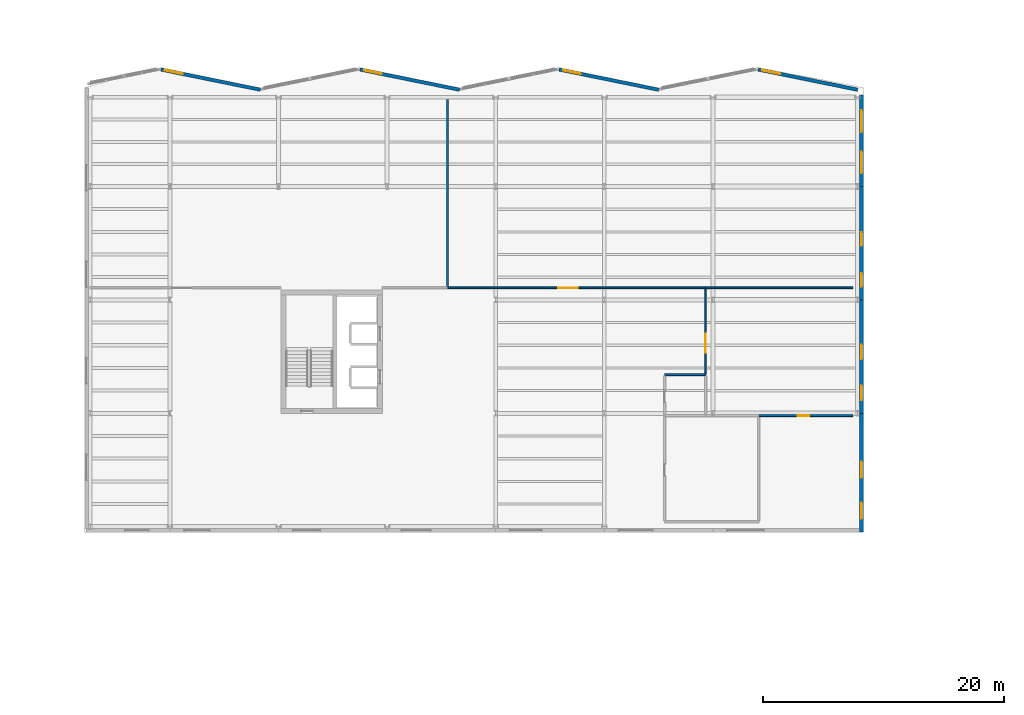
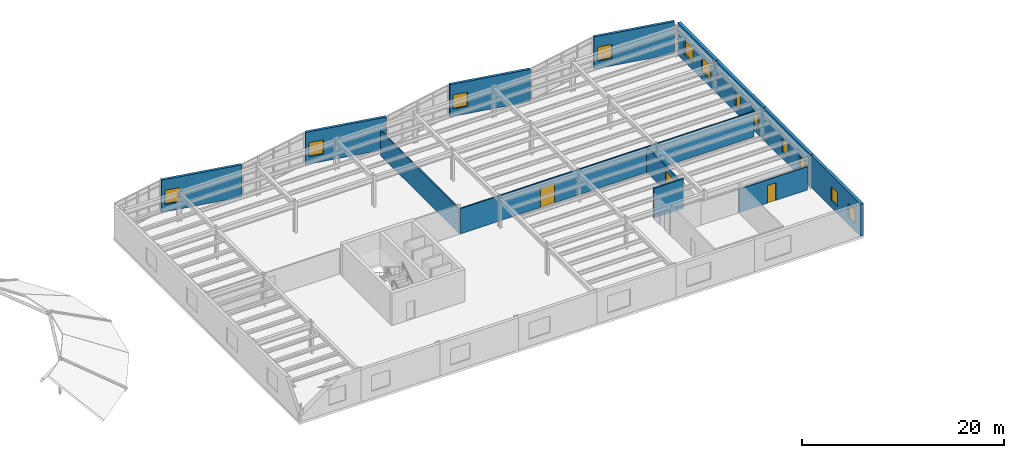
# One storey, part 34 of 46: 14 walls, 12 windows, 3 doors, 15 openings.
"""IFC4 building model written with IfcOpenShell, lengths in metres."""

from ifc_helpers import new_model, si_unit, direction, frame, frame_2d, origin, place, context, subcontext, project, spatial, rectangle, extrude, material, layer, layer_set, type_object, element, fill, save


model = new_model("IFC4")

# Units and contexts
model_context = context("Model", 3, precision=1e-05, world=origin(), true_north=direction((0.0, 1.0)))
body_context = subcontext(model_context, "Body", "Model", "MODEL_VIEW")
ifc_project = project(units=[si_unit("LENGTHUNIT", "METRE"), si_unit("AREAUNIT", "SQUARE_METRE"), si_unit("VOLUMEUNIT", "CUBIC_METRE"), si_unit("PLANEANGLEUNIT", "RADIAN"), si_unit("MASSUNIT", "GRAM", prefix="KILO")], contexts=[model_context])

# Site, building, storey
site_placement = place(None, origin())
site = spatial("IfcSite", under=ifc_project, at=site_placement, CompositionType="ELEMENT")
building_placement = place(site_placement, origin())
building = spatial("IfcBuilding", under=site, at=building_placement, Name="Sollismere Congress Hotel", CompositionType="ELEMENT")
storey_placement = place(building_placement, frame((0.0, 0.0, 19.5)))
storey = spatial("IfcBuildingStorey", under=building, at=storey_placement, Name="L04", CompositionType="ELEMENT", Elevation=19.5)

# Wall, opening, window
ifc_material_1 = material(Name="Colorado Buff Sandstone Rainscreen on Insulated Backup", Category="masonry")
ifc_layer_1 = layer(ifc_material_1, 0.284912109375, Name="Colorado Buff Sandstone Rainscreen on Insulated Backup")
ifc_layer_set_1 = layer_set([ifc_layer_1], Name="Colorado Buff Sandstone Rainscreen on Insulated Backup")
wall_type_1 = type_object("IfcWallType", Name="WL-EXT285", PredefinedType="STANDARD", material=ifc_layer_set_1)
wall_1_placement = place(storey_placement, frame((66.25, 104.698486328125, 0.0), z_axis=(0.0, 0.0, 1.0), x_axis=(0.979925045119, -0.199366260807, 0.0)))
wall_1 = element("IfcWall", 1, at=wall_1_placement, inside=storey, type_object=wall_type_1, Name="Exterior wall EW-L04-072", PredefinedType="STANDARD", context=body_context, shape_type="SweptSolid", body=[
    extrude(rectangle(XDim=8.4189453125, YDim=0.284912109375, at=frame_2d((4.20947265625, 0.0))), origin(), (0.0, 0.0, 1.0), 3.89990234375),
])
opening_1_placement = place(wall_1_placement, frame((0.35009765625, 0.0, 0.89990234375)))
opening_1 = element("IfcOpeningElement", 2, at=opening_1_placement, cuts=wall_1, Name="Opening W-L04-072", PredefinedType="OPENING", context=body_context, shape_type="SweptSolid", body=[
    extrude(rectangle(XDim=1.5, YDim=1.699951171875, at=frame_2d((0.75, 0.85009765625))), frame((0.0, 0.15234375, 0.0), z_axis=(0.0, -1.0, 0.0), x_axis=(1.0, 0.0, 0.0)), (0.0, 0.0, 1.0), 0.304931640625),
])
ifc_material_2 = material(Name="Thermally Broken Bronze Aluminum & Low-E Glass", Category="aluminium")
window_type_1 = type_object("IfcWindowType", Name="WN-P150x170", PartitioningType="SINGLE_PANEL", PredefinedType="WINDOW", material=ifc_material_2)
window_1_placement = place(opening_1_placement, origin())
window_1 = element("IfcWindow", 3, at=window_1_placement, inside=storey, type_object=window_type_1, Name="WIN-W-L04-072", OverallHeight=1.699951171875, OverallWidth=1.5, PartitioningType="SINGLE_PANEL", PredefinedType="WINDOW", context=body_context, shape_type="SweptSolid", body=[
    extrude(rectangle(XDim=1.5, YDim=1.699951171875, at=frame_2d((0.75, 0.85009765625))), frame((0.0, 0.030029296875, 0.0), z_axis=(0.0, -1.0, 0.0), x_axis=(1.0, 0.0, 0.0)), (0.0, 0.0, 1.0), 0.06005859375),
])
fill(opening_1, window_1)

wall_2_placement = place(storey_placement, frame((82.75, 104.698486328125, 0.0), z_axis=(0.0, 0.0, 1.0), x_axis=(0.979925045119, -0.199366260807, 0.0)))
wall_2 = element("IfcWall", 4, at=wall_2_placement, inside=storey, type_object=wall_type_1, Name="Exterior wall EW-L04-073", PredefinedType="STANDARD", context=body_context, shape_type="SweptSolid", body=[
    extrude(rectangle(XDim=8.4189453125, YDim=0.284912109375, at=frame_2d((4.20947265625, 0.0))), origin(), (0.0, 0.0, 1.0), 3.89990234375),
])
opening_2_placement = place(wall_2_placement, frame((0.35009765625, 0.0, 0.89990234375)))
opening_2 = element("IfcOpeningElement", 5, at=opening_2_placement, cuts=wall_2, Name="Opening W-L04-073", PredefinedType="OPENING", context=body_context, shape_type="SweptSolid", body=[
    extrude(rectangle(XDim=1.5, YDim=1.699951171875, at=frame_2d((0.75, 0.85009765625))), frame((0.0, 0.15234375, 0.0), z_axis=(0.0, -1.0, 0.0), x_axis=(1.0, 0.0, 0.0)), (0.0, 0.0, 1.0), 0.304931640625),
])
window_2_placement = place(opening_2_placement, origin())
window_2 = element("IfcWindow", 6, at=window_2_placement, inside=storey, type_object=window_type_1, Name="WIN-W-L04-073", OverallHeight=1.699951171875, OverallWidth=1.5, PartitioningType="SINGLE_PANEL", PredefinedType="WINDOW", context=body_context, shape_type="SweptSolid", body=[
    extrude(rectangle(XDim=1.5, YDim=1.699951171875, at=frame_2d((0.75, 0.85009765625))), frame((0.0, 0.030029296875, 0.0), z_axis=(0.0, -1.0, 0.0), x_axis=(1.0, 0.0, 0.0)), (0.0, 0.0, 1.0), 0.06005859375),
])
fill(opening_2, window_2)

wall_3_placement = place(storey_placement, frame((99.25, 104.698486328125, 0.0), z_axis=(0.0, 0.0, 1.0), x_axis=(0.979925045119, -0.199366260807, 0.0)))
wall_3 = element("IfcWall", 7, at=wall_3_placement, inside=storey, type_object=wall_type_1, Name="Exterior wall EW-L04-074", PredefinedType="STANDARD", context=body_context, shape_type="SweptSolid", body=[
    extrude(rectangle(XDim=8.4189453125, YDim=0.284912109375, at=frame_2d((4.20947265625, 0.0))), origin(), (0.0, 0.0, 1.0), 3.89990234375),
])
opening_3_placement = place(wall_3_placement, frame((0.35009765625, 0.0, 0.89990234375)))
opening_3 = element("IfcOpeningElement", 8, at=opening_3_placement, cuts=wall_3, Name="Opening W-L04-074", PredefinedType="OPENING", context=body_context, shape_type="SweptSolid", body=[
    extrude(rectangle(XDim=1.5, YDim=1.699951171875, at=frame_2d((0.75, 0.85009765625))), frame((0.0, 0.15234375, 0.0), z_axis=(0.0, -1.0, 0.0), x_axis=(1.0, 0.0, 0.0)), (0.0, 0.0, 1.0), 0.304931640625),
])
window_3_placement = place(opening_3_placement, origin())
window_3 = element("IfcWindow", 9, at=window_3_placement, inside=storey, type_object=window_type_1, Name="WIN-W-L04-074", OverallHeight=1.699951171875, OverallWidth=1.5, PartitioningType="SINGLE_PANEL", PredefinedType="WINDOW", context=body_context, shape_type="SweptSolid", body=[
    extrude(rectangle(XDim=1.5, YDim=1.699951171875, at=frame_2d((0.75, 0.85009765625))), frame((0.0, 0.030029296875, 0.0), z_axis=(0.0, -1.0, 0.0), x_axis=(1.0, 0.0, 0.0)), (0.0, 0.0, 1.0), 0.06005859375),
])
fill(opening_3, window_3)

wall_4_placement = place(storey_placement, frame((115.75, 104.698486328125, 0.0), z_axis=(0.0, 0.0, 1.0), x_axis=(0.979925045119, -0.199366260807, 0.0)))
wall_4 = element("IfcWall", 10, at=wall_4_placement, inside=storey, type_object=wall_type_1, Name="Exterior wall EW-L04-075", PredefinedType="STANDARD", context=body_context, shape_type="SweptSolid", body=[
    extrude(rectangle(XDim=8.4189453125, YDim=0.284912109375, at=frame_2d((4.20947265625, 0.0))), origin(), (0.0, 0.0, 1.0), 3.89990234375),
])
opening_4_placement = place(wall_4_placement, frame((0.35009765625, 0.0, 0.89990234375)))
opening_4 = element("IfcOpeningElement", 11, at=opening_4_placement, cuts=wall_4, Name="Opening W-L04-075", PredefinedType="OPENING", context=body_context, shape_type="SweptSolid", body=[
    extrude(rectangle(XDim=1.5, YDim=1.699951171875, at=frame_2d((0.75, 0.85009765625))), frame((0.0, 0.15234375, 0.0), z_axis=(0.0, -1.0, 0.0), x_axis=(1.0, 0.0, 0.0)), (0.0, 0.0, 1.0), 0.304931640625),
])
window_4_placement = place(opening_4_placement, origin())
window_4 = element("IfcWindow", 12, at=window_4_placement, inside=storey, type_object=window_type_1, Name="WIN-W-L04-075", OverallHeight=1.699951171875, OverallWidth=1.5, PartitioningType="SINGLE_PANEL", PredefinedType="WINDOW", context=body_context, shape_type="SweptSolid", body=[
    extrude(rectangle(XDim=1.5, YDim=1.699951171875, at=frame_2d((0.75, 0.85009765625))), frame((0.0, 0.030029296875, 0.0), z_axis=(0.0, -1.0, 0.0), x_axis=(1.0, 0.0, 0.0)), (0.0, 0.0, 1.0), 0.06005859375),
])
fill(opening_4, window_4)

# Wall, openings, windows
ifc_material_3 = material(Name="Colorado Buff Sandstone and Limestone Backup C40/50", Category="masonry")
ifc_layer_2 = layer(ifc_material_3, 0.340087890625, Name="Colorado Buff Sandstone and Limestone Backup C40/50")
ifc_layer_set_2 = layer_set([ifc_layer_2], Name="Colorado Buff Sandstone and Limestone Backup C40/50")
wall_type_2 = type_object("IfcWallType", Name="WL-EXT340", PredefinedType="STANDARD", material=ifc_layer_set_2)
wall_5_placement = place(storey_placement, frame((124.31005859375, 66.35009765625, 0.0), z_axis=(0.0, 0.0, 1.0), x_axis=(0.0, 1.0, 0.0)))
wall_5 = element("IfcWall", 13, at=wall_5_placement, inside=storey, type_object=wall_type_2, Name="Exterior wall EW-L04-076", PredefinedType="STANDARD", context=body_context, shape_type="SweptSolid", body=[
    extrude(rectangle(XDim=9.849853515625, YDim=0.340087890625, at=frame_2d((4.9248046875, 0.0))), origin(), (0.0, 0.0, 1.0), 3.89990234375),
])
opening_5_placement = place(wall_5_placement, frame((1.10009765625, 0.0, 0.85009765625)))
opening_5 = element("IfcOpeningElement", 14, at=opening_5_placement, cuts=wall_5, Name="Opening W-L04-076", PredefinedType="OPENING", context=body_context, shape_type="SweptSolid", body=[
    extrude(rectangle(XDim=1.35009765625, YDim=1.64990234375, at=frame_2d((0.675048828125, 0.824951171875))), frame((0.0, 0.179931640625, 0.0), z_axis=(0.0, -1.0, 0.0), x_axis=(1.0, 0.0, 0.0)), (0.0, 0.0, 1.0), 0.360107421875),
])
opening_6_placement = place(wall_5_placement, frame((4.5, 0.0, 0.85009765625)))
opening_6 = element("IfcOpeningElement", 15, at=opening_6_placement, cuts=wall_5, Name="Opening W-L04-077", PredefinedType="OPENING", context=body_context, shape_type="SweptSolid", body=[
    extrude(rectangle(XDim=1.35009765625, YDim=1.64990234375, at=frame_2d((0.675048828125, 0.824951171875))), frame((0.0, 0.179931640625, 0.0), z_axis=(0.0, -1.0, 0.0), x_axis=(1.0, 0.0, 0.0)), (0.0, 0.0, 1.0), 0.360107421875),
])
window_type_2 = type_object("IfcWindowType", Name="WN-P135x165", PartitioningType="SINGLE_PANEL", PredefinedType="WINDOW", material=ifc_material_2)
window_5_placement = place(opening_5_placement, origin())
window_5 = element("IfcWindow", 16, at=window_5_placement, inside=storey, type_object=window_type_2, Name="WIN-W-L04-076", OverallHeight=1.64990234375, OverallWidth=1.35009765625, PartitioningType="SINGLE_PANEL", PredefinedType="WINDOW", context=body_context, shape_type="SweptSolid", body=[
    extrude(rectangle(XDim=1.35009765625, YDim=1.64990234375, at=frame_2d((0.675048828125, 0.824951171875))), frame((0.0, 0.030029296875, 0.0), z_axis=(0.0, -1.0, 0.0), x_axis=(1.0, 0.0, 0.0)), (0.0, 0.0, 1.0), 0.06005859375),
])
fill(opening_5, window_5)
window_6_placement = place(opening_6_placement, origin())
window_6 = element("IfcWindow", 17, at=window_6_placement, inside=storey, type_object=window_type_2, Name="WIN-W-L04-077", OverallHeight=1.64990234375, OverallWidth=1.35009765625, PartitioningType="SINGLE_PANEL", PredefinedType="WINDOW", context=body_context, shape_type="SweptSolid", body=[
    extrude(rectangle(XDim=1.35009765625, YDim=1.64990234375, at=frame_2d((0.675048828125, 0.824951171875))), frame((0.0, 0.030029296875, 0.0), z_axis=(0.0, -1.0, 0.0), x_axis=(1.0, 0.0, 0.0)), (0.0, 0.0, 1.0), 0.06005859375),
])
fill(opening_6, window_6)

wall_6_placement = place(storey_placement, frame((124.31005859375, 76.199951171875, 0.0), z_axis=(0.0, 0.0, 1.0), x_axis=(0.0, 1.0, 0.0)))
wall_6 = element("IfcWall", 18, at=wall_6_placement, inside=storey, type_object=wall_type_2, Name="Exterior wall EW-L04-077", PredefinedType="STANDARD", context=body_context, shape_type="SweptSolid", body=[
    extrude(rectangle(XDim=9.400146484375, YDim=0.340087890625, at=frame_2d((4.7001953125, 0.0))), origin(), (0.0, 0.0, 1.0), 3.89990234375),
])
opening_7_placement = place(wall_6_placement, frame((1.10009765625, 0.0, 0.85009765625)))
opening_7 = element("IfcOpeningElement", 19, at=opening_7_placement, cuts=wall_6, Name="Opening W-L04-078", PredefinedType="OPENING", context=body_context, shape_type="SweptSolid", body=[
    extrude(rectangle(XDim=1.199951171875, YDim=1.60009765625, at=frame_2d((0.60009765625, 0.800048828125))), frame((0.0, 0.179931640625, 0.0), z_axis=(0.0, -1.0, 0.0), x_axis=(1.0, 0.0, 0.0)), (0.0, 0.0, 1.0), 0.360107421875),
])
opening_8_placement = place(wall_6_placement, frame((4.5, 0.0, 0.85009765625)))
opening_8 = element("IfcOpeningElement", 20, at=opening_8_placement, cuts=wall_6, Name="Opening W-L04-079", PredefinedType="OPENING", context=body_context, shape_type="SweptSolid", body=[
    extrude(rectangle(XDim=1.199951171875, YDim=1.60009765625, at=frame_2d((0.60009765625, 0.800048828125))), frame((0.0, 0.179931640625, 0.0), z_axis=(0.0, -1.0, 0.0), x_axis=(1.0, 0.0, 0.0)), (0.0, 0.0, 1.0), 0.360107421875),
])
window_type_3 = type_object("IfcWindowType", Name="WN-P120x160", PartitioningType="SINGLE_PANEL", PredefinedType="WINDOW", material=ifc_material_2)
window_7_placement = place(opening_7_placement, origin())
window_7 = element("IfcWindow", 21, at=window_7_placement, inside=storey, type_object=window_type_3, Name="WIN-W-L04-078", OverallHeight=1.60009765625, OverallWidth=1.199951171875, PartitioningType="SINGLE_PANEL", PredefinedType="WINDOW", context=body_context, shape_type="SweptSolid", body=[
    extrude(rectangle(XDim=1.199951171875, YDim=1.60009765625, at=frame_2d((0.60009765625, 0.800048828125))), frame((0.0, 0.030029296875, 0.0), z_axis=(0.0, -1.0, 0.0), x_axis=(1.0, 0.0, 0.0)), (0.0, 0.0, 1.0), 0.06005859375),
])
fill(opening_7, window_7)
window_8_placement = place(opening_8_placement, origin())
window_8 = element("IfcWindow", 22, at=window_8_placement, inside=storey, type_object=window_type_3, Name="WIN-W-L04-079", OverallHeight=1.60009765625, OverallWidth=1.199951171875, PartitioningType="SINGLE_PANEL", PredefinedType="WINDOW", context=body_context, shape_type="SweptSolid", body=[
    extrude(rectangle(XDim=1.199951171875, YDim=1.60009765625, at=frame_2d((0.60009765625, 0.800048828125))), frame((0.0, 0.030029296875, 0.0), z_axis=(0.0, -1.0, 0.0), x_axis=(1.0, 0.0, 0.0)), (0.0, 0.0, 1.0), 0.06005859375),
])
fill(opening_8, window_8)

wall_7_placement = place(storey_placement, frame((124.31005859375, 85.60009765625, 0.0), z_axis=(0.0, 0.0, 1.0), x_axis=(0.0, 1.0, 0.0)))
wall_7 = element("IfcWall", 23, at=wall_7_placement, inside=storey, type_object=wall_type_2, Name="Exterior wall EW-L04-078", PredefinedType="STANDARD", context=body_context, shape_type="SweptSolid", body=[
    extrude(rectangle(XDim=9.39990234375, YDim=0.340087890625, at=frame_2d((4.699951171875, 0.0))), origin(), (0.0, 0.0, 1.0), 3.89990234375),
])
opening_9_placement = place(wall_7_placement, frame((1.10009765625, 0.0, 0.85009765625)))
opening_9 = element("IfcOpeningElement", 24, at=opening_9_placement, cuts=wall_7, Name="Opening W-L04-080", PredefinedType="OPENING", context=body_context, shape_type="SweptSolid", body=[
    extrude(rectangle(XDim=1.10009765625, YDim=1.5, at=frame_2d((0.550048828125, 0.75))), frame((0.0, 0.179931640625, 0.0), z_axis=(0.0, -1.0, 0.0), x_axis=(1.0, 0.0, 0.0)), (0.0, 0.0, 1.0), 0.360107421875),
])
opening_10_placement = place(wall_7_placement, frame((4.5, 0.0, 0.85009765625)))
opening_10 = element("IfcOpeningElement", 25, at=opening_10_placement, cuts=wall_7, Name="Opening W-L04-081", PredefinedType="OPENING", context=body_context, shape_type="SweptSolid", body=[
    extrude(rectangle(XDim=1.10009765625, YDim=1.5, at=frame_2d((0.550048828125, 0.75))), frame((0.0, 0.179931640625, 0.0), z_axis=(0.0, -1.0, 0.0), x_axis=(1.0, 0.0, 0.0)), (0.0, 0.0, 1.0), 0.360107421875),
])
window_type_4 = type_object("IfcWindowType", Name="WN-P110x150", PartitioningType="SINGLE_PANEL", PredefinedType="WINDOW", material=ifc_material_2)
window_9_placement = place(opening_9_placement, origin())
window_9 = element("IfcWindow", 26, at=window_9_placement, inside=storey, type_object=window_type_4, Name="WIN-W-L04-080", OverallHeight=1.5, OverallWidth=1.10009765625, PartitioningType="SINGLE_PANEL", PredefinedType="WINDOW", context=body_context, shape_type="SweptSolid", body=[
    extrude(rectangle(XDim=1.10009765625, YDim=1.5, at=frame_2d((0.550048828125, 0.75))), frame((0.0, 0.030029296875, 0.0), z_axis=(0.0, -1.0, 0.0), x_axis=(1.0, 0.0, 0.0)), (0.0, 0.0, 1.0), 0.06005859375),
])
fill(opening_9, window_9)
window_10_placement = place(opening_10_placement, origin())
window_10 = element("IfcWindow", 27, at=window_10_placement, inside=storey, type_object=window_type_4, Name="WIN-W-L04-081", OverallHeight=1.5, OverallWidth=1.10009765625, PartitioningType="SINGLE_PANEL", PredefinedType="WINDOW", context=body_context, shape_type="SweptSolid", body=[
    extrude(rectangle(XDim=1.10009765625, YDim=1.5, at=frame_2d((0.550048828125, 0.75))), frame((0.0, 0.030029296875, 0.0), z_axis=(0.0, -1.0, 0.0), x_axis=(1.0, 0.0, 0.0)), (0.0, 0.0, 1.0), 0.06005859375),
])
fill(opening_10, window_10)

wall_8_placement = place(storey_placement, frame((124.31005859375, 95.0, 0.0), z_axis=(0.0, 0.0, 1.0), x_axis=(0.0, 1.0, 0.0)))
wall_8 = element("IfcWall", 28, at=wall_8_placement, inside=storey, type_object=wall_type_2, Name="Exterior wall EW-L04-079", PredefinedType="STANDARD", context=body_context, shape_type="SweptSolid", body=[
    extrude(rectangle(XDim=7.60009765625, YDim=0.340087890625, at=frame_2d((3.800048828125, 0.0))), origin(), (0.0, 0.0, 1.0), 3.89990234375),
])
opening_11_placement = place(wall_8_placement, frame((1.10009765625, 0.0, 0.85009765625)))
opening_11 = element("IfcOpeningElement", 29, at=opening_11_placement, cuts=wall_8, Name="Opening W-L04-082", PredefinedType="OPENING", context=body_context, shape_type="SweptSolid", body=[
    extrude(rectangle(XDim=1.800048828125, YDim=1.800048828125, at=frame_2d((0.89990234375, 0.89990234375))), frame((0.0, 0.179931640625, 0.0), z_axis=(0.0, -1.0, 0.0), x_axis=(1.0, 0.0, 0.0)), (0.0, 0.0, 1.0), 0.360107421875),
])
opening_12_placement = place(wall_8_placement, frame((4.5, 0.0, 0.85009765625)))
opening_12 = element("IfcOpeningElement", 30, at=opening_12_placement, cuts=wall_8, Name="Opening W-L04-083", PredefinedType="OPENING", context=body_context, shape_type="SweptSolid", body=[
    extrude(rectangle(XDim=1.800048828125, YDim=1.800048828125, at=frame_2d((0.89990234375, 0.89990234375))), frame((0.0, 0.179931640625, 0.0), z_axis=(0.0, -1.0, 0.0), x_axis=(1.0, 0.0, 0.0)), (0.0, 0.0, 1.0), 0.360107421875),
])
window_type_5 = type_object("IfcWindowType", Name="WN-P180x180", PartitioningType="SINGLE_PANEL", PredefinedType="WINDOW", material=ifc_material_2)
window_11_placement = place(opening_11_placement, origin())
window_11 = element("IfcWindow", 31, at=window_11_placement, inside=storey, type_object=window_type_5, Name="WIN-W-L04-082", OverallHeight=1.800048828125, OverallWidth=1.800048828125, PartitioningType="SINGLE_PANEL", PredefinedType="WINDOW", context=body_context, shape_type="SweptSolid", body=[
    extrude(rectangle(XDim=1.800048828125, YDim=1.800048828125, at=frame_2d((0.89990234375, 0.89990234375))), frame((0.0, 0.030029296875, 0.0), z_axis=(0.0, -1.0, 0.0), x_axis=(1.0, 0.0, 0.0)), (0.0, 0.0, 1.0), 0.06005859375),
])
fill(opening_11, window_11)
window_12_placement = place(opening_12_placement, origin())
window_12 = element("IfcWindow", 32, at=window_12_placement, inside=storey, type_object=window_type_5, Name="WIN-W-L04-083", OverallHeight=1.800048828125, OverallWidth=1.800048828125, PartitioningType="SINGLE_PANEL", PredefinedType="WINDOW", context=body_context, shape_type="SweptSolid", body=[
    extrude(rectangle(XDim=1.800048828125, YDim=1.800048828125, at=frame_2d((0.89990234375, 0.89990234375))), frame((0.0, 0.030029296875, 0.0), z_axis=(0.0, -1.0, 0.0), x_axis=(1.0, 0.0, 0.0)), (0.0, 0.0, 1.0), 0.06005859375),
])
fill(opening_12, window_12)

# Wall, opening, door
ifc_material_4 = material(Name="Fire-Rated Gypsum Partition")
ifc_layer_3 = layer(ifc_material_4, 0.139892578125, Name="Fire-Rated Gypsum Partition")
ifc_layer_set_3 = layer_set([ifc_layer_3], Name="Fire-Rated Gypsum Partition")
wall_type_3 = type_object("IfcWallType", Name="WL-PRT140R", PredefinedType="PARTITIONING", material=ifc_layer_set_3)
wall_9_placement = place(storey_placement, frame((90.0, 86.60009765625, 0.0), z_axis=(0.0, 0.0, 1.0), x_axis=(1.0, 0.0, 0.0)))
wall_9 = element("IfcWall", 33, at=wall_9_placement, inside=storey, type_object=wall_type_3, Name="Interior wall IW-L04-0962", PredefinedType="PARTITIONING", context=body_context, shape_type="SweptSolid", body=[
    extrude(rectangle(XDim=21.39990234375, YDim=0.139892578125, at=frame_2d((10.699951171875, 0.0))), origin(), (0.0, 0.0, 1.0), 3.05908203125),
])
opening_13_placement = place(wall_9_placement, frame((9.199951171875, 0.0, 0.0)))
opening_13 = element("IfcOpeningElement", 34, at=opening_13_placement, cuts=wall_9, Name="Opening D-L04-0339", PredefinedType="OPENING", context=body_context, shape_type="SweptSolid", body=[
    extrude(rectangle(XDim=1.60009765625, YDim=2.39990234375, at=frame_2d((0.800048828125, 1.199951171875))), frame((0.0, 0.079833984375, 0.0), z_axis=(0.0, -1.0, 0.0), x_axis=(1.0, 0.0, 0.0)), (0.0, 0.0, 1.0), 0.159912109375),
])
ifc_material_5 = material(Name="Acoustic Oak Double Meeting Door")
door_type_1 = type_object("IfcDoorType", Name="DR-MT160", OperationType="NOTDEFINED", PredefinedType="DOOR", material=ifc_material_5)
door_1_placement = place(opening_13_placement, origin())
door_1 = element("IfcDoor", 35, at=door_1_placement, inside=storey, type_object=door_type_1, Name="Interior door D-L04-0339", OperationType="DOUBLE_DOOR_SINGLE_SWING", OverallHeight=2.39990234375, OverallWidth=1.60009765625, PredefinedType="DOOR", context=body_context, shape_type="SweptSolid", body=[
    extrude(rectangle(XDim=1.60009765625, YDim=2.39990234375, at=frame_2d((0.800048828125, 1.199951171875))), frame((0.0, 0.02490234375, 0.0), z_axis=(0.0, -1.0, 0.0), x_axis=(1.0, 0.0, 0.0)), (0.0, 0.0, 1.0), 0.050048828125),
])
fill(opening_13, door_1)

# Walls
wall_10_placement = place(storey_placement, frame((111.39990234375, 86.60009765625, 0.0), z_axis=(0.0, 0.0, 1.0), x_axis=(1.0, 0.0, 0.0)))
element("IfcWall", 36, at=wall_10_placement, inside=storey, type_object=wall_type_3, Name="Interior wall IW-L04-0963", PredefinedType="PARTITIONING", context=body_context, shape_type="SweptSolid", body=[
    extrude(rectangle(XDim=12.2001953125, YDim=0.139892578125, at=frame_2d((6.10009765625, 0.0))), origin(), (0.0, 0.0, 1.0), 3.05908203125),
])
wall_11_placement = place(storey_placement, frame((90.0, 86.681884765625, 0.0), z_axis=(0.0, 0.0, 1.0), x_axis=(0.0, 1.0, 0.0)))
element("IfcWall", 37, at=wall_11_placement, inside=storey, type_object=wall_type_3, Name="Interior wall IW-L04-0964", PredefinedType="PARTITIONING", context=body_context, shape_type="SweptSolid", body=[
    extrude(rectangle(XDim=15.51806640625, YDim=0.139892578125, at=frame_2d((7.759033203125, 0.0))), origin(), (0.0, 0.0, 1.0), 2.998046875),
])

# Wall, opening, door
wall_12_placement = place(storey_placement, frame((111.39990234375, 79.494384765625, 0.0), z_axis=(0.0, 0.0, 1.0), x_axis=(0.0, 1.0, 0.0)))
wall_12 = element("IfcWall", 38, at=wall_12_placement, inside=storey, type_object=wall_type_3, Name="Interior wall IW-L04-0968", PredefinedType="PARTITIONING", context=body_context, shape_type="SweptSolid", body=[
    extrude(rectangle(XDim=7.023681640625, YDim=0.139892578125, at=frame_2d((3.51171875, 0.0))), origin(), (0.0, 0.0, 1.0), 2.998046875),
])
opening_14_placement = place(wall_12_placement, frame((1.705078125, 0.0, 0.0)))
opening_14 = element("IfcOpeningElement", 39, at=opening_14_placement, cuts=wall_12, Name="Opening D-L04-0342", PredefinedType="OPENING", context=body_context, shape_type="SweptSolid", body=[
    extrude(rectangle(XDim=1.60009765625, YDim=2.39990234375, at=frame_2d((0.800048828125, 1.199951171875))), frame((0.0, 0.079833984375, 0.0), z_axis=(0.0, -1.0, 0.0), x_axis=(1.0, 0.0, 0.0)), (0.0, 0.0, 1.0), 0.159912109375),
])
door_2_placement = place(opening_14_placement, origin())
door_2 = element("IfcDoor", 40, at=door_2_placement, inside=storey, type_object=door_type_1, Name="Interior door D-L04-0342", OperationType="DOUBLE_DOOR_SINGLE_SWING", OverallHeight=2.39990234375, OverallWidth=1.60009765625, PredefinedType="DOOR", context=body_context, shape_type="SweptSolid", body=[
    extrude(rectangle(XDim=1.60009765625, YDim=2.39990234375, at=frame_2d((0.800048828125, 1.199951171875))), frame((0.0, 0.02490234375, 0.0), z_axis=(0.0, -1.0, 0.0), x_axis=(1.0, 0.0, 0.0)), (0.0, 0.0, 1.0), 0.050048828125),
])
fill(opening_14, door_2)

ifc_material_6 = material(Name="Fire-Rated Acoustic Gypsum Partition")
ifc_layer_4 = layer(ifc_material_6, 0.1650390625, Name="Fire-Rated Acoustic Gypsum Partition")
ifc_layer_set_4 = layer_set([ifc_layer_4], Name="Fire-Rated Acoustic Gypsum Partition")
wall_type_4 = type_object("IfcWallType", Name="WL-PRT165R", PredefinedType="PARTITIONING", material=ifc_layer_set_4)
wall_13_placement = place(storey_placement, frame((115.800048828125, 76.0, 0.0), z_axis=(0.0, 0.0, 1.0), x_axis=(1.0, 0.0, 0.0)))
wall_13 = element("IfcWall", 41, at=wall_13_placement, inside=storey, type_object=wall_type_4, Name="Interior wall IW-L04-0958", PredefinedType="PARTITIONING", context=body_context, shape_type="SweptSolid", body=[
    extrude(rectangle(XDim=7.800048828125, YDim=0.1650390625, at=frame_2d((3.89990234375, 0.0))), origin(), (0.0, 0.0, 1.0), 2.822998046875),
])
opening_15_placement = place(wall_13_placement, frame((3.219970703125, 0.0, 0.0)))
opening_15 = element("IfcOpeningElement", 42, at=opening_15_placement, cuts=wall_13, Name="Opening D-L04-0337", PredefinedType="OPENING", context=body_context, shape_type="SweptSolid", body=[
    extrude(rectangle(XDim=0.9599609375, YDim=2.14990234375, at=frame_2d((0.47998046875, 1.074951171875))), frame((0.0, 0.092529296875, 0.0), z_axis=(0.0, -1.0, 0.0), x_axis=(1.0, 0.0, 0.0)), (0.0, 0.0, 1.0), 0.18505859375),
])
ifc_material_7 = material(Name="Fire-Rated Accessible Restroom Door")
door_type_2 = type_object("IfcDoorType", Name="DR-AWC01", OperationType="NOTDEFINED", PredefinedType="DOOR", material=ifc_material_7)
door_3_placement = place(opening_15_placement, origin())
door_3 = element("IfcDoor", 43, at=door_3_placement, inside=storey, type_object=door_type_2, Name="Interior door D-L04-0337", OperationType="SINGLE_SWING_LEFT", OverallHeight=2.14990234375, OverallWidth=0.9599609375, PredefinedType="DOOR", context=body_context, shape_type="SweptSolid", body=[
    extrude(rectangle(XDim=0.9599609375, YDim=2.14990234375, at=frame_2d((0.47998046875, 1.074951171875))), frame((0.0, 0.02490234375, 0.0), z_axis=(0.0, -1.0, 0.0), x_axis=(1.0, 0.0, 0.0)), (0.0, 0.0, 1.0), 0.050048828125),
])
fill(opening_15, door_3)

# Wall
wall_14_placement = place(storey_placement, frame((108.0, 79.39990234375, 0.0), z_axis=(0.0, 0.0, 1.0), x_axis=(1.0, 0.0, 0.0)))
element("IfcWall", 44, at=wall_14_placement, inside=storey, type_object=wall_type_4, Name="Interior wall IW-L04-0959", PredefinedType="PARTITIONING", context=body_context, shape_type="SweptSolid", body=[
    extrude(rectangle(XDim=3.39990234375, YDim=0.1650390625, at=frame_2d((1.699951171875, 0.0))), origin(), (0.0, 0.0, 1.0), 3.5849609375),
])

save(model, "model.ifc")
